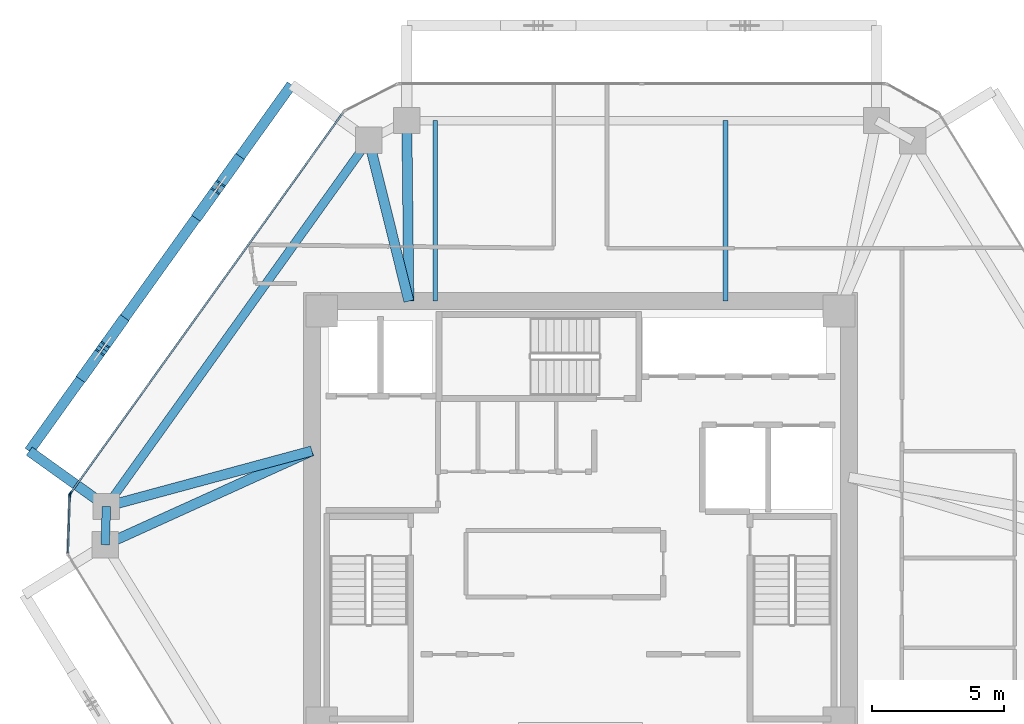
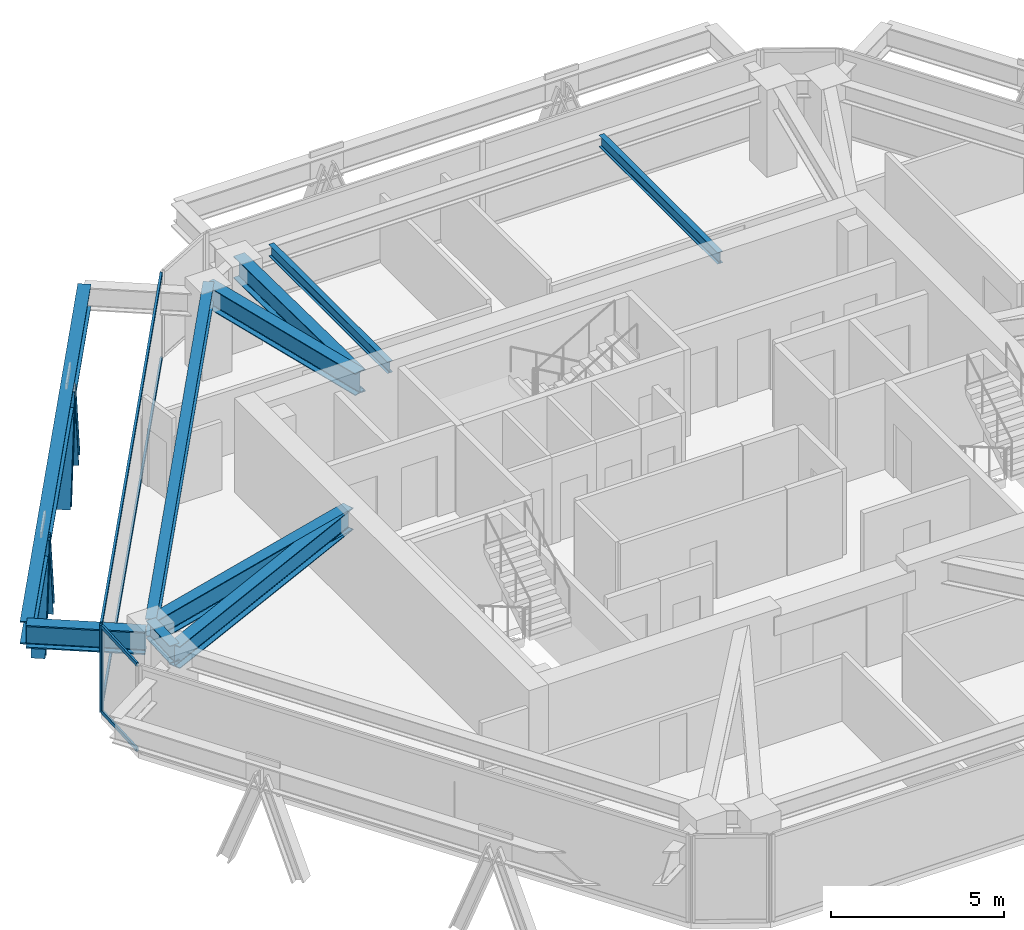
# One storey, part 4 of 13: 10 beams, 10 members, 2 elements without a shape of their own.
"""IFC4 building model written with IfcOpenShell, lengths in metres."""

from ifc_helpers import new_model, si_unit, direction, frame, origin, origin_2d, place, context, subcontext, project, spatial, rectangle, i_section, extrude, source, transform, mapped, material, layer, layer_set, material_profile, profile_set, type_object, type_shapes, element, aggregate, save


model = new_model("IFC4")

# Units and contexts
model_context = context("Model", 3, precision=1e-05, world=origin(), true_north=direction((0.0, 1.0)))
body_context = subcontext(model_context, "Body", "Model", "MODEL_VIEW")
ifc_project = project(units=[si_unit("LENGTHUNIT", "METRE"), si_unit("AREAUNIT", "SQUARE_METRE"), si_unit("VOLUMEUNIT", "CUBIC_METRE"), si_unit("PLANEANGLEUNIT", "RADIAN"), si_unit("MASSUNIT", "GRAM", prefix="KILO")], contexts=[model_context])

# Site, building, storey
site_placement = place(None, origin())
site = spatial("IfcSite", under=ifc_project, at=site_placement, CompositionType="ELEMENT")
building_placement = place(site_placement, origin())
building = spatial("IfcBuilding", under=site, at=building_placement, Name="Durnholm Broadcast Tower", CompositionType="ELEMENT")
storey_placement = place(building_placement, frame((0.0, 0.0, 167.199951171875)))
storey = spatial("IfcBuildingStorey", under=building, at=storey_placement, Name="L45", CompositionType="ELEMENT", Elevation=167.199951171875)

# Beams
ifc_material_1 = material(Name="Steel ASTM A992 Grade 50", Category="steel")
ifc_material_profile_1 = material_profile(ifc_material_1, i_section(OverallWidth=0.385009765625, OverallDepth=0.802978515625, WebThickness=0.023681640625, FlangeThickness=0.0419921875, FilletRadius=0.032958984375, at=origin_2d()), Name="W30X261")
ifc_profile_set_1 = profile_set([ifc_material_profile_1], Name="Steel ASTM A992 Grade 50")
beam_type_1 = type_object("IfcBeamType", Name="BM-EXO-TIE", PredefinedType="USERDEFINED", material=ifc_profile_set_1)
shared_shape_1 = source(origin(), body_context, "Body", "SweptSolid", [
    extrude(i_section(OverallWidth=0.385009765625, OverallDepth=0.802978515625, WebThickness=0.023681640625, FlangeThickness=0.0419921875, FilletRadius=0.032958984375, at=origin_2d()), origin(), (0.0, 0.0, 1.0), 3.455810546875),
])
beam_1_placement = place(storey_placement, frame((-18.076904296875, 0.4794921875, 2.30859375), z_axis=(-0.813112485828, 0.582106592808, 0.0), x_axis=(-0.582106592808, -0.813112485828, 0.0)))
element("IfcBeam", 1, at=beam_1_placement, inside=storey, type_object=beam_type_1, Name="L45 exoskeleton stand-off tie bracket F5.2", ObjectType="GIRDER", PredefinedType="USERDEFINED", context=body_context, shape_type="MappedRepresentation", body=[
    mapped(shared_shape_1, transform((0.0, 0.0, 0.0), x_axis=(1.0, 0.0, 0.0), y_axis=(0.0, 1.0, 0.0), z_axis=(0.0, 0.0, 1.0), scale=1.0)),
])
ifc_material_profile_2 = material_profile(ifc_material_1, i_section(OverallWidth=0.3251953125, OverallDepth=0.6162109375, WebThickness=0.013916015625, FlangeThickness=0.021484375, FilletRadius=0.02783203125, at=origin_2d()), Name="W24X117")
ifc_profile_set_2 = profile_set([ifc_material_profile_2], Name="Steel ASTM A992 Grade 50")
beam_type_2 = type_object("IfcBeamType", Name="STL-SP-W24X117", PredefinedType="SPANDREL", material=ifc_profile_set_2)
shared_shape_2 = source(origin(), body_context, "Body", "SweptSolid", [
    extrude(i_section(OverallWidth=0.3251953125, OverallDepth=0.6162109375, WebThickness=0.013916015625, FlangeThickness=0.021484375, FilletRadius=0.02783203125, at=origin_2d()), origin(), (0.0, 0.0, 1.0), 1.452880859375),
])
beam_2_placement = place(storey_placement, frame((-18.009033203125, -1.056640625, 2.737060546875), z_axis=(0.03377359304, 0.999429509477, 0.0), x_axis=(-0.999429509477, 0.03377359304, 0.0)))
element("IfcBeam", 2, at=beam_2_placement, inside=storey, type_object=beam_type_2, Name="L45 perimeter spandrel girder 02", PredefinedType="SPANDREL", context=body_context, shape_type="MappedRepresentation", body=[
    mapped(shared_shape_2, transform((0.0, 0.0, 0.0), x_axis=(1.0, 0.0, 0.0), y_axis=(0.0, 1.0, 0.0), z_axis=(0.0, 0.0, 1.0), scale=1.0)),
])
shared_shape_3 = source(origin(), body_context, "Body", "SweptSolid", [
    extrude(i_section(OverallWidth=0.3251953125, OverallDepth=0.6162109375, WebThickness=0.013916015625, FlangeThickness=0.021484375, FilletRadius=0.02783203125, at=origin_2d()), origin(), (0.0, 0.0, 1.0), 17.07177734375),
])
type_shapes(beam_type_2, [shared_shape_2, shared_shape_3])
beam_3_placement = place(storey_placement, frame((-17.9599609375, 0.3955078125, 2.737060546875), z_axis=(0.582142843258, 0.813086532937, 0.0), x_axis=(-0.813086532937, 0.582142843258, 0.0)))
element("IfcBeam", 3, at=beam_3_placement, inside=storey, type_object=beam_type_2, Name="L45 perimeter spandrel girder 03", PredefinedType="SPANDREL", context=body_context, shape_type="MappedRepresentation", body=[
    mapped(shared_shape_3, transform((0.0, 0.0, 0.0), x_axis=(1.0, 0.0, 0.0), y_axis=(0.0, 1.0, 0.0), z_axis=(0.0, 0.0, 1.0), scale=1.0)),
])
shared_shape_4 = source(origin(), body_context, "Body", "SweptSolid", [
    extrude(i_section(OverallWidth=0.385009765625, OverallDepth=0.802978515625, WebThickness=0.023681640625, FlangeThickness=0.0419921875, FilletRadius=0.032958984375, at=origin_2d()), origin(), (0.0, 0.0, 1.0), 17.07177734375),
])
type_shapes(beam_type_1, [shared_shape_1, shared_shape_4])
beam_4_placement = place(storey_placement, frame((-10.948974609375, 16.3720703125, 2.30859375), z_axis=(-0.582133388739, -0.813093301974, 0.0), x_axis=(0.813093301974, -0.582133388739, 0.0)))
element("IfcBeam", 4, at=beam_4_placement, inside=storey, type_object=beam_type_1, Name="L45 exoskeleton collector spandrel F5", PredefinedType="SPANDREL", context=body_context, shape_type="MappedRepresentation", body=[
    mapped(shared_shape_4, transform((0.0, 0.0, 0.0), x_axis=(1.0, 0.0, 0.0), y_axis=(0.0, 1.0, 0.0), z_axis=(0.0, 0.0, 1.0), scale=1.0)),
])
ifc_material_profile_3 = material_profile(ifc_material_1, i_section(OverallWidth=0.380615234375, OverallDepth=0.773193359375, WebThickness=0.0166015625, FlangeThickness=0.027099609375, FilletRadius=0.032958984375, at=origin_2d()), Name="W30X173")
ifc_profile_set_3 = profile_set([ifc_material_profile_3], Name="Steel ASTM A992 Grade 50")
beam_type_3 = type_object("IfcBeamType", Name="STL-GR-W30X173", PredefinedType="USERDEFINED", material=ifc_profile_set_3)
shared_shape_5 = source(origin(), body_context, "Body", "SweptSolid", [
    extrude(i_section(OverallWidth=0.380615234375, OverallDepth=0.773193359375, WebThickness=0.0166015625, FlangeThickness=0.027099609375, FilletRadius=0.032958984375, at=origin_2d()), origin(), (0.0, 0.0, 1.0), 8.603515625),
])
beam_5_placement = place(storey_placement, frame((-10.175048828125, 2.5, 2.658447265625), z_axis=(-0.910552971728, -0.413392411248, 0.0), x_axis=(0.413392411248, -0.910552971728, 0.0)))
element("IfcBeam", 5, at=beam_5_placement, inside=storey, type_object=beam_type_3, Name="L45 radial primary floor girder 02", ObjectType="GIRDER", PredefinedType="USERDEFINED", context=body_context, shape_type="MappedRepresentation", body=[
    mapped(shared_shape_5, transform((0.0, 0.0, 0.0), x_axis=(1.0, 0.0, 0.0), y_axis=(0.0, 1.0, 0.0), z_axis=(0.0, 0.0, 1.0), scale=1.0)),
])
shared_shape_6 = source(origin(), body_context, "Body", "SweptSolid", [
    extrude(i_section(OverallWidth=0.380615234375, OverallDepth=0.773193359375, WebThickness=0.0166015625, FlangeThickness=0.027099609375, FilletRadius=0.032958984375, at=origin_2d()), origin(), (0.0, 0.0, 1.0), 8.064453125),
])
beam_6_placement = place(storey_placement, frame((-10.175048828125, 2.5, 2.658447265625), z_axis=(-0.96534896552, -0.260962401066, 0.0), x_axis=(0.260962401066, -0.96534896552, 0.0)))
element("IfcBeam", 6, at=beam_6_placement, inside=storey, type_object=beam_type_3, Name="L45 radial primary floor girder 03", ObjectType="GIRDER", PredefinedType="USERDEFINED", context=body_context, shape_type="MappedRepresentation", body=[
    mapped(shared_shape_6, transform((0.0, 0.0, 0.0), x_axis=(1.0, 0.0, 0.0), y_axis=(0.0, 1.0, 0.0), z_axis=(0.0, 0.0, 1.0), scale=1.0)),
])
shared_shape_7 = source(origin(), body_context, "Body", "SweptSolid", [
    extrude(i_section(OverallWidth=0.380615234375, OverallDepth=0.773193359375, WebThickness=0.0166015625, FlangeThickness=0.027099609375, FilletRadius=0.032958984375, at=origin_2d()), origin(), (0.0, 0.0, 1.0), 6.288330078125),
])
beam_7_placement = place(storey_placement, frame((-6.5, 8.175048828125, 2.658447265625), z_axis=(-0.241996604408, 0.970277096223, 0.0), x_axis=(-0.970277096223, -0.241996604408, 0.0)))
element("IfcBeam", 7, at=beam_7_placement, inside=storey, type_object=beam_type_3, Name="L45 radial primary floor girder 04", ObjectType="GIRDER", PredefinedType="USERDEFINED", context=body_context, shape_type="MappedRepresentation", body=[
    mapped(shared_shape_7, transform((0.0, 0.0, 0.0), x_axis=(1.0, 0.0, 0.0), y_axis=(0.0, 1.0, 0.0), z_axis=(0.0, 0.0, 1.0), scale=1.0)),
])
shared_shape_8 = source(origin(), body_context, "Body", "SweptSolid", [
    extrude(i_section(OverallWidth=0.380615234375, OverallDepth=0.773193359375, WebThickness=0.0166015625, FlangeThickness=0.027099609375, FilletRadius=0.032958984375, at=origin_2d()), origin(), (0.0, 0.0, 1.0), 6.843505859375),
])
type_shapes(beam_type_3, [shared_shape_5, shared_shape_6, shared_shape_7, shared_shape_8])
beam_8_placement = place(storey_placement, frame((-6.5, 8.175048828125, 2.658447265625), z_axis=(-0.011487343604, 0.999934018292, 0.0), x_axis=(-0.999934018292, -0.011487343604, 0.0)))
element("IfcBeam", 8, at=beam_8_placement, inside=storey, type_object=beam_type_3, Name="L45 radial primary floor girder 05", ObjectType="GIRDER", PredefinedType="USERDEFINED", context=body_context, shape_type="MappedRepresentation", body=[
    mapped(shared_shape_8, transform((0.0, 0.0, 0.0), x_axis=(1.0, 0.0, 0.0), y_axis=(0.0, 1.0, 0.0), z_axis=(0.0, 0.0, 1.0), scale=1.0)),
])
ifc_material_profile_4 = material_profile(ifc_material_1, i_section(OverallWidth=0.177734375, OverallDepth=0.40673828125, WebThickness=0.0078125, FlangeThickness=0.0126953125, FilletRadius=0.01904296875, at=origin_2d()), Name="W16X40")
ifc_profile_set_4 = profile_set([ifc_material_profile_4], Name="Steel ASTM A992 Grade 50")
beam_type_4 = type_object("IfcBeamType", Name="STL-BJ-W16X40", PredefinedType="JOIST", material=ifc_profile_set_4)
shared_shape_9 = source(origin(), body_context, "Body", "SweptSolid", [
    extrude(i_section(OverallWidth=0.177734375, OverallDepth=0.40673828125, WebThickness=0.0078125, FlangeThickness=0.0126953125, FilletRadius=0.01904296875, at=origin_2d()), origin(), (0.0, 0.0, 1.0), 6.843017578125),
])
type_shapes(beam_type_4, [shared_shape_9])
for number, where, z_axis, x_axis, name in (
    (9, (-5.5, 8.175048828125, 2.841796875), (0.0, 1.0, 0.0), (-1.0, 0.0, 0.0), "L45 secondary floor joist 3.2"),
    (10, (5.5, 8.175048828125, 2.841796875), (0.0, 1.0, 0.0), (-1.0, 0.0, 0.0), "L45 secondary floor joist 4.2"),
):
    element("IfcBeam", number, at=place(storey_placement, frame(where, z_axis=z_axis, x_axis=x_axis)), inside=storey, type_object=beam_type_4, Name=name, PredefinedType="JOIST", context=body_context, shape_type="MappedRepresentation", body=[
        mapped(shared_shape_9, transform((0.0, 0.0, 0.0), x_axis=(1.0, 0.0, 0.0), y_axis=(0.0, 1.0, 0.0), z_axis=(0.0, 0.0, 1.0), scale=1.0)),
    ])

# Members
ifc_material_2 = material(Name="Steel ASTM A913 Grade 65", Category="steel")
ifc_material_profile_5 = material_profile(ifc_material_2, i_section(OverallWidth=0.412109375, OverallDepth=0.434814453125, WebThickness=0.035888671875, FlangeThickness=0.057373046875, FilletRadius=0.030517578125, at=origin_2d()), Name="W14X311")
ifc_profile_set_5 = profile_set([ifc_material_profile_5], Name="Steel ASTM A913 Grade 65")
member_type_1 = type_object("IfcMemberType", Name="STL-DG-W14X311", PredefinedType="BRACE", material=ifc_profile_set_5)
shared_shape_10 = source(origin(), body_context, "Body", "SweptSolid", [
    extrude(i_section(OverallWidth=0.412109375, OverallDepth=0.434814453125, WebThickness=0.035888671875, FlangeThickness=0.057373046875, FilletRadius=0.030517578125, at=origin_2d()), origin(), (0.0, 0.0, 1.0), 3.523193359375),
])
type_shapes(member_type_1, [shared_shape_10])
for number, where, z_axis, x_axis, name in (
    (11, (-13.013427734375, 13.48876953125, -0.991455078125), (-0.203869234398, -0.284737826017, 0.936675880815), (0.813077820009, -0.582155012526, 0.0), "L45 stand-off diagrid brace F5.D1.1"),
    (12, (-14.449951171875, 11.482421875, -0.991455078125), (0.203869234398, 0.284737826017, 0.936675880815), (-0.813077820009, 0.582155012526, 0.0), "L45 stand-off diagrid brace F5.D1.2"),
    (13, (-17.38623046875, 7.381103515625, -0.991455078125), (-0.203869234398, -0.284737826017, 0.936675880815), (0.813077820009, -0.582155012526, 0.0), "L45 stand-off diagrid brace F5.D2.1"),
    (14, (-18.822509765625, 5.374755859375, -0.991455078125), (0.203802816986, 0.284741848009, 0.936689111595), (-0.813171482985, 0.58202417412, 0.0), "L45 stand-off diagrid brace F5.D2.2"),
):
    element("IfcMember", number, at=place(storey_placement, frame(where, z_axis=z_axis, x_axis=x_axis)), inside=storey, type_object=member_type_1, Name=name, PredefinedType="BRACE", context=body_context, shape_type="MappedRepresentation", body=[
        mapped(shared_shape_10, transform((0.0, 0.0, 0.0), x_axis=(1.0, 0.0, 0.0), y_axis=(0.0, 1.0, 0.0), z_axis=(0.0, 0.0, 1.0), scale=1.0)),
    ])

# Curtain wall, members
ifc_material_3 = material(Name="Aluminium and Solar Control IGU", Category="aluminium")
ifc_layer_1 = layer(ifc_material_3, 0.1650390625)
ifc_layer_set_1 = layer_set([ifc_layer_1], Name="Aluminium and Solar Control IGU")
curtain_wall_type_1 = type_object("IfcCurtainWallType", Name="CW-SYS-5", PredefinedType="NOTDEFINED", material=ifc_layer_set_1)
curtain_wall_1_placement = place(storey_placement, origin())
curtain_wall_1 = element("IfcCurtainWall", 15, at=curtain_wall_1_placement, inside=storey, type_object=curtain_wall_type_1, Name="L45 curtain wall CW-CORNER CW-L45-CRN-01", PredefinedType="NOTDEFINED")
ifc_material_4 = material(Name="Aluminium 6063-T6", Category="aluminium")
ifc_material_profile_6 = material_profile(ifc_material_4, rectangle(XDim=0.06494140625, YDim=0.1650390625, at=origin_2d()), Name="CWM65X165")
ifc_profile_set_6 = profile_set([ifc_material_profile_6], Name="Aluminium 6063-T6")
member_type_2 = type_object("IfcMemberType", Name="CW-SYS-5-MUL", PredefinedType="MULLION", material=ifc_profile_set_6)
shared_shape_11 = source(origin(), body_context, "Body", "SweptSolid", [
    extrude(rectangle(XDim=0.06494140625, YDim=0.1650390625, at=origin_2d()), origin(), (0.0, 0.0, 1.0), 3.06005859375),
])
type_shapes(member_type_2, [shared_shape_11])
member_1_placement = place(storey_placement, frame((-19.345703125, 0.833740234375, 0.0), z_axis=(0.0, 0.0, 1.0), x_axis=(-0.999424798802, 0.033912704699, 0.0)))
member_1 = element("IfcMember", 16, at=member_1_placement, type_object=member_type_2, Name="CW-CORNER mullion 2", PredefinedType="MULLION", context=body_context, shape_type="MappedRepresentation", body=[
    mapped(shared_shape_11, transform((0.0, 0.0, 0.0), x_axis=(1.0, 0.0, 0.0), y_axis=(0.0, 1.0, 0.0), z_axis=(0.0, 0.0, 1.0), scale=1.0)),
])
ifc_material_profile_7 = material_profile(ifc_material_4, rectangle(XDim=0.06494140625, YDim=0.1298828125, at=origin_2d()), Name="CWT65X130")
ifc_profile_set_7 = profile_set([ifc_material_profile_7], Name="Aluminium 6063-T6")
member_type_3 = type_object("IfcMemberType", Name="CW-SYS-5-TRN", PredefinedType="USERDEFINED", material=ifc_profile_set_7)
shared_shape_12 = source(origin(), body_context, "Body", "SweptSolid", [
    extrude(rectangle(XDim=0.06494140625, YDim=0.1298828125, at=origin_2d()), origin(), (0.0, 0.0, 1.0), 2.169921875),
])
type_shapes(member_type_3, [shared_shape_12])
member_2_placement = place(storey_placement, frame((-19.42041015625, -1.367431640625, 0.032470703125), z_axis=(0.033865512339, 0.999426399028, 0.0), x_axis=(-0.999426399028, 0.033865512339, 0.0)))
member_2 = element("IfcMember", 17, at=member_2_placement, type_object=member_type_3, Name="CW-CORNER transom 1.1", ObjectType="TRANSOM", PredefinedType="USERDEFINED", context=body_context, shape_type="MappedRepresentation", body=[
    mapped(shared_shape_12, transform((0.0, 0.0, 0.0), x_axis=(1.0, 0.0, 0.0), y_axis=(0.0, 1.0, 0.0), z_axis=(0.0, 0.0, 1.0), scale=1.0)),
])
member_3_placement = place(storey_placement, frame((-19.42041015625, -1.367431640625, 3.027587890625), z_axis=(0.033865512339, 0.999426399028, 0.0), x_axis=(-0.999426399028, 0.033865512339, 0.0)))
member_3 = element("IfcMember", 18, at=member_3_placement, type_object=member_type_3, Name="CW-CORNER transom 1.2", ObjectType="TRANSOM", PredefinedType="USERDEFINED", context=body_context, shape_type="MappedRepresentation", body=[
    mapped(shared_shape_12, transform((0.0, 0.0, 0.0), x_axis=(1.0, 0.0, 0.0), y_axis=(0.0, 1.0, 0.0), z_axis=(0.0, 0.0, 1.0), scale=1.0)),
])
aggregate(curtain_wall_1, [member_1, member_2, member_3])

ifc_layer_2 = layer(ifc_material_3, 0.18994140625)
ifc_layer_set_2 = layer_set([ifc_layer_2], Name="Aluminium and Solar Control IGU")
curtain_wall_type_2 = type_object("IfcCurtainWallType", Name="CW-SYS-4", PredefinedType="NOTDEFINED", material=ifc_layer_set_2)
curtain_wall_2_placement = place(storey_placement, origin())
curtain_wall_2 = element("IfcCurtainWall", 19, at=curtain_wall_2_placement, inside=storey, type_object=curtain_wall_type_2, Name="L45 curtain wall CW-Z34-VIS CW-L45-F02", PredefinedType="NOTDEFINED")
ifc_material_profile_8 = material_profile(ifc_material_4, rectangle(XDim=0.070068359375, YDim=0.14990234375, at=origin_2d()), Name="CWT70X150")
ifc_profile_set_8 = profile_set([ifc_material_profile_8], Name="Aluminium 6063-T6")
member_type_4 = type_object("IfcMemberType", Name="CW-SYS-4-TRN", PredefinedType="USERDEFINED", material=ifc_profile_set_8)
shared_shape_13 = source(origin(), body_context, "Body", "SweptSolid", [
    extrude(rectangle(XDim=0.070068359375, YDim=0.14990234375, at=origin_2d()), origin(), (0.0, 0.0, 1.0), 17.69384765625),
])
type_shapes(member_type_4, [shared_shape_13])
member_4_placement = place(storey_placement, frame((-19.303955078125, 0.923095703125, 0.03515625), z_axis=(0.582138438195, 0.813089686797, 0.0), x_axis=(-0.813089686797, 0.582138438195, 0.0)))
member_4 = element("IfcMember", 20, at=member_4_placement, type_object=member_type_4, Name="CW-Z34-VIS transom 1.1", ObjectType="TRANSOM", PredefinedType="USERDEFINED", context=body_context, shape_type="MappedRepresentation", body=[
    mapped(shared_shape_13, transform((0.0, 0.0, 0.0), x_axis=(1.0, 0.0, 0.0), y_axis=(0.0, 1.0, 0.0), z_axis=(0.0, 0.0, 1.0), scale=1.0)),
])
member_5_placement = place(storey_placement, frame((-19.303955078125, 0.923095703125, 3.025146484375), z_axis=(0.582138438195, 0.813089686797, 0.0), x_axis=(-0.813089686797, 0.582138438195, 0.0)))
member_5 = element("IfcMember", 21, at=member_5_placement, type_object=member_type_4, Name="CW-Z34-VIS transom 1.2", ObjectType="TRANSOM", PredefinedType="USERDEFINED", context=body_context, shape_type="MappedRepresentation", body=[
    mapped(shared_shape_13, transform((0.0, 0.0, 0.0), x_axis=(1.0, 0.0, 0.0), y_axis=(0.0, 1.0, 0.0), z_axis=(0.0, 0.0, 1.0), scale=1.0)),
])
ifc_material_profile_9 = material_profile(ifc_material_4, rectangle(XDim=0.070068359375, YDim=0.18994140625, at=origin_2d()), Name="CWM70X190")
ifc_profile_set_9 = profile_set([ifc_material_profile_9], Name="Aluminium 6063-T6")
member_type_5 = type_object("IfcMemberType", Name="CW-SYS-4-MUL", PredefinedType="MULLION", material=ifc_profile_set_9)
shared_shape_14 = source(origin(), body_context, "Body", "SweptSolid", [
    extrude(rectangle(XDim=0.070068359375, YDim=0.18994140625, at=origin_2d()), origin(), (0.0, 0.0, 1.0), 3.06005859375),
])
type_shapes(member_type_5, [shared_shape_14])
member_6_placement = place(storey_placement, frame((-19.32421875, 0.894775390625, 0.0), z_axis=(0.0, 0.0, 1.0), x_axis=(-0.813089262696, 0.582139030549, 0.0)))
member_6 = element("IfcMember", 22, at=member_6_placement, type_object=member_type_5, Name="CW-Z34-VIS mullion 1", PredefinedType="MULLION", context=body_context, shape_type="MappedRepresentation", body=[
    mapped(shared_shape_14, transform((0.0, 0.0, 0.0), x_axis=(1.0, 0.0, 0.0), y_axis=(0.0, 1.0, 0.0), z_axis=(0.0, 0.0, 1.0), scale=1.0)),
])
aggregate(curtain_wall_2, [member_6, member_4, member_5])

save(model, "model.ifc")
